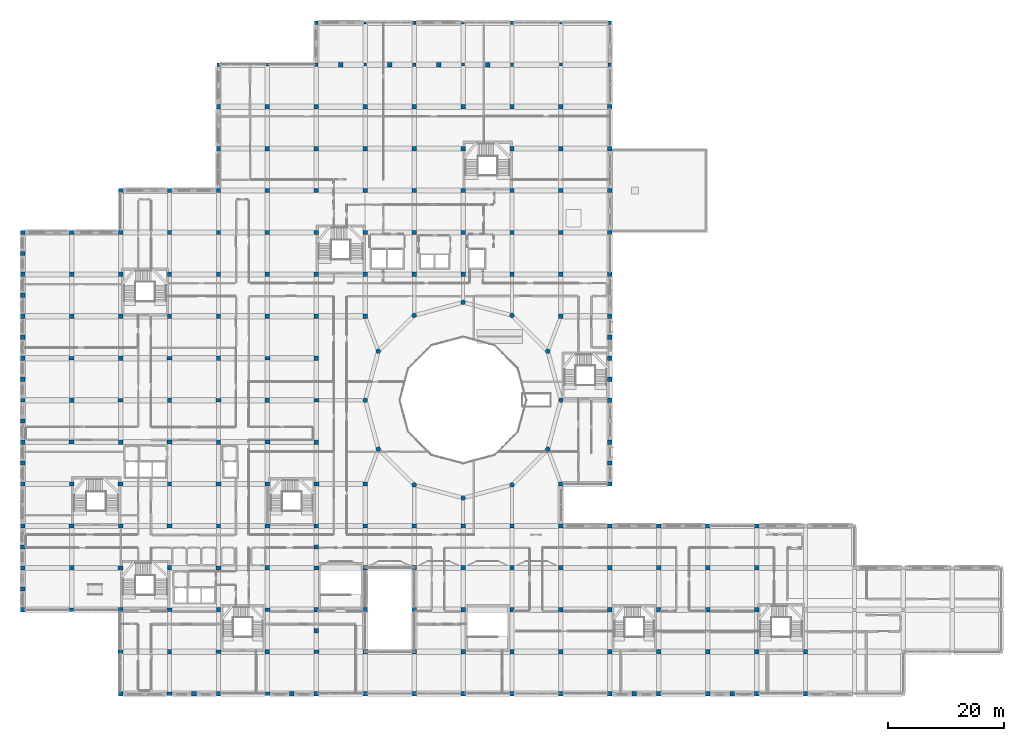
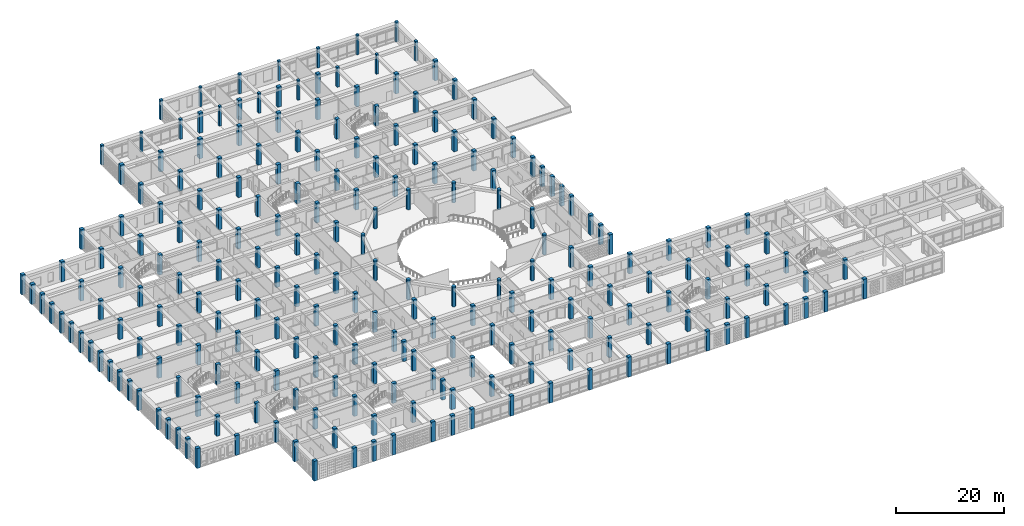
# One storey, part 1 of 121: 226 columns.
"""IFC4 building model written with IfcOpenShell, lengths in metres."""

import ifcopenshell
import ifcopenshell.guid

model = None  # the IFC model being written
_history = None  # IfcOwnerHistory: only IFC2X3 demands one
_inside = {}  # id of a spatial element -> (the spatial element, [elements in it])
_under = {}  # id of a project, library or spatial element -> (it, [spatial elements below it])
_declared = {}  # id of a project -> (the project, [libraries it declares])
_typed = {}  # id of a type object -> (the type object, [elements of that type])
_made_of = {}  # id of a material, layer set ... -> (it, [elements and type objects made of it])


def new_model(schema):
    """Start an empty IFC model of exactly this schema.

    Asked for "IFC4X3", IfcOpenShell would pick the latest addendum, in which some entities
    have other attributes; the version numbers below select the first issue.
    IFC2X3 requires an IfcOwnerHistory on every rooted entity: one is made here for all.
    """
    global model, _history
    if schema == "IFC4X3":
        model = ifcopenshell.file(schema_version=(4, 3, 0, 0))
    else:
        model = ifcopenshell.file(schema=schema)
    _inside.clear()
    _under.clear()
    _declared.clear()
    _typed.clear()
    _made_of.clear()
    _history = None
    if model.schema == "IFC2X3":
        org = make("IfcOrganization", Name="unknown")
        user = make(
            "IfcPersonAndOrganization",
            ThePerson=make("IfcPerson", FamilyName="unknown"),
            TheOrganization=org,
        )
        app = make(
            "IfcApplication",
            ApplicationDeveloper=org,
            Version="unknown",
            ApplicationFullName="unknown",
            ApplicationIdentifier="unknown",
        )
        _history = make(
            "IfcOwnerHistory",
            OwningUser=user,
            OwningApplication=app,
            ChangeAction="ADDED",
            CreationDate=0,
        )
    return model


def make(cls, **values):
    """One entity of the class cls with the attributes given. An attribute that is None is left unset."""
    return model.create_entity(
        cls, **{name: value for name, value in values.items() if value is not None}
    )


def rooted(cls, **values):
    """An entity with a GlobalId (a new one), such as an element, a storey or a relation."""
    return make(cls, GlobalId=ifcopenshell.guid.new(), OwnerHistory=_history, **values)


def si_unit(unit_type, name, prefix=None):
    """IfcSIUnit, for example si_unit("LENGTHUNIT", "METRE", prefix="MILLI")."""
    return make("IfcSIUnit", UnitType=unit_type, Prefix=prefix, Name=name)


def derived_unit(unit_type, elements):
    """IfcDerivedUnit: a product of units, each with its exponent."""
    return make(
        "IfcDerivedUnit",
        Elements=[
            make("IfcDerivedUnitElement", Unit=unit, Exponent=power)
            for unit, power in elements
        ],
        UnitType=unit_type,
    )


def assignment(units):
    """IfcUnitAssignment: the units of a project."""
    return None if units is None else make("IfcUnitAssignment", Units=units)


def point(xyz):
    """IfcCartesianPoint."""
    return None if xyz is None else make("IfcCartesianPoint", Coordinates=xyz)


def direction(xyz):
    """IfcDirection."""
    return None if xyz is None else make("IfcDirection", DirectionRatios=xyz)


def frame(location, z_axis=None, x_axis=None):
    """IfcAxis2Placement3D, a coordinate frame: its origin and axes. An axis left out is left unset."""
    return make(
        "IfcAxis2Placement3D",
        Location=point(location),
        Axis=direction(z_axis),
        RefDirection=direction(x_axis),
    )


def frame_2d(location, x_axis=None):
    """IfcAxis2Placement2D, a coordinate frame in the plane: its origin and x axis."""
    return make(
        "IfcAxis2Placement2D", Location=point(location), RefDirection=direction(x_axis)
    )


def origin():
    """The frame at (0, 0, 0) with its axes left unset."""
    return frame((0.0, 0.0, 0.0))


def origin_2d():
    """The frame at (0, 0) in the plane with its x axis left unset."""
    return frame_2d((0.0, 0.0))


def place(relative_to, where):
    """IfcLocalPlacement: puts the frame where relative to a parent placement (None: the world)."""
    return make(
        "IfcLocalPlacement", PlacementRelTo=relative_to, RelativePlacement=where
    )


def context(
    kind, dimensions, precision=None, world=None, true_north=None, identifier=None
):
    """IfcGeometricRepresentationContext, for example the 3D "Model" context."""
    return make(
        "IfcGeometricRepresentationContext",
        ContextIdentifier=identifier,
        ContextType=kind,
        CoordinateSpaceDimension=dimensions,
        Precision=precision,
        WorldCoordinateSystem=world,
        TrueNorth=true_north,
    )


def subcontext(parent, identifier, kind, view, scale=None):
    """IfcGeometricRepresentationSubContext, for example "Body" below "Model"."""
    return make(
        "IfcGeometricRepresentationSubContext",
        ContextIdentifier=identifier,
        ContextType=kind,
        ParentContext=parent,
        TargetScale=scale,
        TargetView=view,
    )


def project(units=None, contexts=None):
    """IfcProject with its units and contexts."""
    return rooted(
        "IfcProject",
        Name="project",
        RepresentationContexts=contexts,
        UnitsInContext=assignment(units),
    )


def spatial(cls, under=None, at=None, **own):
    """A site, building, storey or space (cls), placed at a placement, below another one or the project."""
    s = rooted(cls, ObjectPlacement=at, **own)
    if under is not None:
        _under.setdefault(under.id(), (under, []))[1].append(s)
    return s


def profile(cls, at=None, kind="AREA", **sizes):
    """A parametric profile (cls). Its sizes go by their IFC names, for example OverallWidth=200.0."""
    return make(cls, ProfileType=kind, Position=at, **sizes)


def rectangle(**sizes):
    """IfcRectangleProfileDef."""
    return profile("IfcRectangleProfileDef", **sizes)


def circle(**sizes):
    """IfcCircleProfileDef."""
    return profile("IfcCircleProfileDef", **sizes)


def extrude(swept, where, along, depth):
    """IfcExtrudedAreaSolid: the profile swept, set in the frame where, extruded along a direction by depth."""
    return make(
        "IfcExtrudedAreaSolid",
        SweptArea=swept,
        Position=where,
        ExtrudedDirection=direction(along),
        Depth=depth,
    )


def shape(context_of_items, identifier, shape_type, items):
    """IfcShapeRepresentation: the items that make up one representation, for example the "Body"."""
    return make(
        "IfcShapeRepresentation",
        ContextOfItems=context_of_items,
        RepresentationIdentifier=identifier,
        RepresentationType=shape_type,
        Items=items,
    )


def material(Name=None, Category=None):
    """IfcMaterial."""
    return make("IfcMaterial", Name=Name, Category=Category)


def material_profile(
    of_material, cross_section, Name=None, Category=None, Priority=None
):
    """IfcMaterialProfile: a cross section and its material."""
    return make(
        "IfcMaterialProfile",
        Name=Name,
        Material=of_material,
        Profile=cross_section,
        Priority=Priority,
        Category=Category,
    )


def profile_set(profiles, Name=None, composite=None):
    """IfcMaterialProfileSet."""
    return make(
        "IfcMaterialProfileSet",
        Name=Name,
        MaterialProfiles=profiles,
        CompositeProfile=composite,
    )


def made_of(thing, what):
    """Note that an element or type object is made of a material, layer set ...; save() writes the relation."""
    if what is not None:
        _made_of.setdefault(what.id(), (what, []))[1].append(thing)
    return thing


def type_object(cls, material=None, **own):
    """A type object (cls), such as IfcWallType, which elements share."""
    return made_of(rooted(cls, **own), material)


def element(
    cls,
    number,
    at=None,
    inside=None,
    cuts=None,
    type_object=None,
    material=None,
    context=None,
    identifier="Body",
    shape_type=None,
    held_by="IfcProductDefinitionShape",
    body=None,
    shapes=None,
    **own,
):
    """One element of the class cls, such as IfcWall. Its Tag is "e" and its number.

    at: its placement. inside: the storey or other place that contains it. cuts: it is an
    opening in that element (IfcRelVoidsElement). A single representation is given by context,
    identifier, shape_type and body (its items); several are given by shapes. held_by: the class
    of the entity that holds the representations. save() writes the other relations.
    """
    e = rooted(cls, Tag="e%d" % number, ObjectPlacement=at, **own)
    if body is not None:
        shapes = [shape(context, identifier, shape_type, body)]
    if shapes is not None:
        e.Representation = make(held_by, Representations=shapes)
    if inside is not None:
        _inside.setdefault(inside.id(), (inside, []))[1].append(e)
    if cuts is not None:
        rooted(
            "IfcRelVoidsElement", RelatingBuildingElement=cuts, RelatedOpeningElement=e
        )
    if type_object is not None:
        _typed.setdefault(type_object.id(), (type_object, []))[1].append(e)
    return made_of(e, material)


def aggregate(whole, parts):
    """IfcRelAggregates: a whole, such as a stair, and the parts it consists of."""
    return rooted("IfcRelAggregates", RelatingObject=whole, RelatedObjects=parts)


def save(model, path):
    """Write the relations noted so far, then the file.

    IfcRelAggregates (storeys below a building ...), IfcRelContainedInSpatialStructure (elements
    in a storey), IfcRelDefinesByType, IfcRelAssociatesMaterial and IfcRelDeclares: one each for
    every whole, place, type object, material and project.
    """
    for whole, parts in _under.values():
        aggregate(whole, parts)
    for where, things in _inside.values():
        rooted(
            "IfcRelContainedInSpatialStructure",
            RelatedElements=things,
            RelatingStructure=where,
        )
    for kind, things in _typed.values():
        rooted("IfcRelDefinesByType", RelatedObjects=things, RelatingType=kind)
    for what, things in _made_of.values():
        rooted("IfcRelAssociatesMaterial", RelatedObjects=things, RelatingMaterial=what)
    for by, libraries in _declared.values():
        rooted("IfcRelDeclares", RelatingContext=by, RelatedDefinitions=libraries)
    model.write(path)


model = new_model("IFC4")

# Units and contexts
model_context = context("Model", 3, precision=1e-05, world=origin(), true_north=direction((0.0, 1.0)))
body_context = subcontext(model_context, "Body", "Model", "MODEL_VIEW")
ifc_project = project(units=[si_unit("LENGTHUNIT", "METRE"), si_unit("AREAUNIT", "SQUARE_METRE"), si_unit("VOLUMEUNIT", "CUBIC_METRE"), si_unit("PLANEANGLEUNIT", "RADIAN"), si_unit("MASSUNIT", "GRAM", prefix="KILO"), derived_unit("THERMALTRANSMITTANCEUNIT", [(si_unit("POWERUNIT", "WATT"), 1), (si_unit("LENGTHUNIT", "METRE"), -2), (si_unit("THERMODYNAMICTEMPERATUREUNIT", "KELVIN"), -1)])], contexts=[model_context])

# Site, building, storey
site_placement = place(None, origin())
site = spatial("IfcSite", under=ifc_project, at=site_placement, CompositionType="ELEMENT")
building_placement = place(site_placement, origin())
building = spatial("IfcBuilding", under=site, at=building_placement, Name="Veybourne Emporium", CompositionType="ELEMENT")
storey_placement = place(building_placement, frame((0.0, 0.0, 5.39990234375)))
storey = spatial("IfcBuildingStorey", under=building, at=storey_placement, Name="L01", CompositionType="ELEMENT", Elevation=5.39990234375)

# Columns
ifc_material = material(Name="Concrete C40/50", Category="concrete")
ifc_material_profile_1 = material_profile(ifc_material, rectangle(XDim=0.75, YDim=0.75, at=origin_2d()), Name="RC 750x750")
ifc_profile_set_1 = profile_set([ifc_material_profile_1], Name="Concrete C40/50")
column_type_1 = type_object("IfcColumnType", Name="Col_C-03", PredefinedType="COLUMN", material=ifc_profile_set_1)
for number, where, z_axis, x_axis, name in (
    (1, (8.39990234375, 21.60009765625, 0.0), (0.0, 0.0, 1.0), (1.0, 0.0, 0.0), "Column C-03 L01 (1,3)"),
    (2, (8.39990234375, 36.0, 0.0), (0.0, 0.0, 1.0), (1.0, 0.0, 0.0), "Column C-03 L01 (1,5)"),
    (3, (8.39990234375, 50.39990234375, 0.0), (0.0, 0.0, 1.0), (1.0, 0.0, 0.0), "Column C-03 L01 (1,7)"),
    (4, (8.39990234375, 64.800048828125, 0.0), (0.0, 0.0, 1.0), (1.0, 0.0, 0.0), "Column C-03 L01 (1,9)"),
    (5, (8.39990234375, 72.0, 0.0), (0.0, 0.0, 1.0), (1.0, 0.0, 0.0), "Column C-03 L01 (1,10)"),
    (6, (8.39990234375, 79.199951171875, 0.0), (0.0, 0.0, 1.0), (1.0, 0.0, 0.0), "Column C-03 L01 (1,11)"),
    (7, (16.800048828125, 14.39990234375, 0.0), (0.0, 0.0, 1.0), (1.0, 0.0, 0.0), "Column C-03 L01 (2,2)"),
    (8, (16.800048828125, 28.800048828125, 0.0), (0.0, 0.0, 1.0), (1.0, 0.0, 0.0), "Column C-03 L01 (2,4)"),
    (9, (16.800048828125, 43.199951171875, 0.0), (0.0, 0.0, 1.0), (1.0, 0.0, 0.0), "Column C-03 L01 (2,6)"),
    (10, (16.800048828125, 57.60009765625, 0.0), (0.0, 0.0, 1.0), (1.0, 0.0, 0.0), "Column C-03 L01 (2,8)"),
    (11, (16.800048828125, 64.800048828125, 0.0), (0.0, 0.0, 1.0), (1.0, 0.0, 0.0), "Column C-03 L01 (2,9)"),
    (12, (16.800048828125, 72.0, 0.0), (0.0, 0.0, 1.0), (1.0, 0.0, 0.0), "Column C-03 L01 (2,10)"),
    (13, (16.800048828125, 79.199951171875, 0.0), (0.0, 0.0, 1.0), (1.0, 0.0, 0.0), "Column C-03 L01 (2,11)"),
    (14, (16.800048828125, 86.39990234375, 0.0), (0.0, 0.0, 1.0), (1.0, 0.0, 0.0), "Column C-03 L01 (2,12)"),
    (15, (25.199951171875, 7.199951171875, 0.0), (0.0, 0.0, 1.0), (1.0, 0.0, 0.0), "Column C-03 L01 (3,1)"),
    (16, (25.199951171875, 21.60009765625, 0.0), (0.0, 0.0, 1.0), (1.0, 0.0, 0.0), "Column C-03 L01 (3,3)"),
    (17, (25.199951171875, 36.0, 0.0), (0.0, 0.0, 1.0), (1.0, 0.0, 0.0), "Column C-03 L01 (3,5)"),
    (18, (25.199951171875, 50.39990234375, 0.0), (0.0, 0.0, 1.0), (1.0, 0.0, 0.0), "Column C-03 L01 (3,7)"),
    (19, (25.199951171875, 64.800048828125, 0.0), (0.0, 0.0, 1.0), (1.0, 0.0, 0.0), "Column C-03 L01 (3,9)"),
    (20, (25.199951171875, 72.0, 0.0), (0.0, 0.0, 1.0), (1.0, 0.0, 0.0), "Column C-03 L01 (3,10)"),
    (21, (25.199951171875, 79.199951171875, 0.0), (0.0, 0.0, 1.0), (1.0, 0.0, 0.0), "Column C-03 L01 (3,11)"),
    (22, (25.199951171875, 86.39990234375, 0.0), (0.0, 0.0, 1.0), (1.0, 0.0, 0.0), "Column C-03 L01 (3,12)"),
    (23, (33.60009765625, 14.39990234375, 0.0), (0.0, 0.0, 1.0), (1.0, 0.0, 0.0), "Column C-03 L01 (4,2)"),
    (24, (33.60009765625, 28.800048828125, 0.0), (0.0, 0.0, 1.0), (1.0, 0.0, 0.0), "Column C-03 L01 (4,4)"),
    (25, (33.60009765625, 43.199951171875, 0.0), (0.0, 0.0, 1.0), (1.0, 0.0, 0.0), "Column C-03 L01 (4,6)"),
    (26, (33.60009765625, 57.60009765625, 0.0), (0.0, 0.0, 1.0), (1.0, 0.0, 0.0), "Column C-03 L01 (4,8)"),
    (27, (33.60009765625, 64.800048828125, 0.0), (0.0, 0.0, 1.0), (1.0, 0.0, 0.0), "Column C-03 L01 (4,9)"),
    (28, (33.60009765625, 72.0, 0.0), (0.0, 0.0, 1.0), (1.0, 0.0, 0.0), "Column C-03 L01 (4,10)"),
    (29, (33.60009765625, 79.199951171875, 0.0), (0.0, 0.0, 1.0), (1.0, 0.0, 0.0), "Column C-03 L01 (4,11)"),
    (30, (33.60009765625, 86.39990234375, 0.0), (0.0, 0.0, 1.0), (1.0, 0.0, 0.0), "Column C-03 L01 (4,12)"),
    (31, (33.60009765625, 93.60009765625, 0.0), (0.0, 0.0, 1.0), (1.0, 0.0, 0.0), "Column C-03 L01 (4,13)"),
    (32, (33.60009765625, 100.800048828125, 0.0), (0.0, 0.0, 1.0), (1.0, 0.0, 0.0), "Column C-03 L01 (4,14)"),
    (33, (42.0, 7.199951171875, 0.0), (0.0, 0.0, 1.0), (1.0, 0.0, 0.0), "Column C-03 L01 (5,1)"),
    (34, (42.0, 21.60009765625, 0.0), (0.0, 0.0, 1.0), (1.0, 0.0, 0.0), "Column C-03 L01 (5,3)"),
    (35, (42.0, 36.0, 0.0), (0.0, 0.0, 1.0), (1.0, 0.0, 0.0), "Column C-03 L01 (5,5)"),
    (36, (42.0, 50.39990234375, 0.0), (0.0, 0.0, 1.0), (1.0, 0.0, 0.0), "Column C-03 L01 (5,7)"),
    (37, (42.0, 64.800048828125, 0.0), (0.0, 0.0, 1.0), (1.0, 0.0, 0.0), "Column C-03 L01 (5,9)"),
    (38, (42.0, 72.0, 0.0), (0.0, 0.0, 1.0), (1.0, 0.0, 0.0), "Column C-03 L01 (5,10)"),
    (39, (42.0, 79.199951171875, 0.0), (0.0, 0.0, 1.0), (1.0, 0.0, 0.0), "Column C-03 L01 (5,11)"),
    (40, (42.0, 86.39990234375, 0.0), (0.0, 0.0, 1.0), (1.0, 0.0, 0.0), "Column C-03 L01 (5,12)"),
    (41, (42.0, 93.60009765625, 0.0), (0.0, 0.0, 1.0), (1.0, 0.0, 0.0), "Column C-03 L01 (5,13)"),
    (42, (42.0, 100.800048828125, 0.0), (0.0, 0.0, 1.0), (1.0, 0.0, 0.0), "Column C-03 L01 (5,14)"),
    (43, (50.39990234375, 14.39990234375, 0.0), (0.0, 0.0, 1.0), (1.0, 0.0, 0.0), "Column C-03 L01 (6,2)"),
    (44, (50.39990234375, 28.800048828125, 0.0), (0.0, 0.0, 1.0), (1.0, 0.0, 0.0), "Column C-03 L01 (6,4)"),
    (45, (50.39990234375, 43.199951171875, 0.0), (0.0, 0.0, 1.0), (1.0, 0.0, 0.0), "Column C-03 L01 (6,6)"),
    (46, (50.39990234375, 57.60009765625, 0.0), (0.0, 0.0, 1.0), (1.0, 0.0, 0.0), "Column C-03 L01 (6,8)"),
    (47, (50.39990234375, 64.800048828125, 0.0), (0.0, 0.0, 1.0), (1.0, 0.0, 0.0), "Column C-03 L01 (6,9)"),
    (48, (50.39990234375, 72.0, 0.0), (0.0, 0.0, 1.0), (1.0, 0.0, 0.0), "Column C-03 L01 (6,10)"),
    (49, (50.39990234375, 79.199951171875, 0.0), (0.0, 0.0, 1.0), (1.0, 0.0, 0.0), "Column C-03 L01 (6,11)"),
    (50, (50.39990234375, 86.39990234375, 0.0), (0.0, 0.0, 1.0), (1.0, 0.0, 0.0), "Column C-03 L01 (6,12)"),
    (51, (50.39990234375, 93.60009765625, 0.0), (0.0, 0.0, 1.0), (1.0, 0.0, 0.0), "Column C-03 L01 (6,13)"),
    (52, (50.39990234375, 100.800048828125, 0.0), (0.0, 0.0, 1.0), (1.0, 0.0, 0.0), "Column C-03 L01 (6,14)"),
    (53, (58.800048828125, 7.199951171875, 0.0), (0.0, 0.0, 1.0), (1.0, 0.0, 0.0), "Column C-03 L01 (7,1)"),
    (54, (58.800048828125, 14.39990234375, 0.0), (0.0, 0.0, 1.0), (1.0, 0.0, 0.0), "Column C-03 L01 (7,2)"),
    (55, (58.800048828125, 21.60009765625, 0.0), (0.0, 0.0, 1.0), (1.0, 0.0, 0.0), "Column C-03 L01 (7,3)"),
    (56, (58.800048828125, 28.800048828125, 0.0), (0.0, 0.0, 1.0), (1.0, 0.0, 0.0), "Column C-03 L01 (7,4)"),
    (57, (58.800048828125, 36.0, 0.0), (0.0, 0.0, 1.0), (1.0, 0.0, 0.0), "Column C-03 L01 (7,5)"),
    (58, (58.800048828125, 64.800048828125, 0.0), (0.0, 0.0, 1.0), (1.0, 0.0, 0.0), "Column C-03 L01 (7,9)"),
    (59, (58.800048828125, 72.0, 0.0), (0.0, 0.0, 1.0), (1.0, 0.0, 0.0), "Column C-03 L01 (7,10)"),
    (60, (58.800048828125, 79.199951171875, 0.0), (0.0, 0.0, 1.0), (1.0, 0.0, 0.0), "Column C-03 L01 (7,11)"),
    (61, (58.800048828125, 86.39990234375, 0.0), (0.0, 0.0, 1.0), (1.0, 0.0, 0.0), "Column C-03 L01 (7,12)"),
    (62, (58.800048828125, 93.60009765625, 0.0), (0.0, 0.0, 1.0), (1.0, 0.0, 0.0), "Column C-03 L01 (7,13)"),
    (63, (58.800048828125, 100.800048828125, 0.0), (0.0, 0.0, 1.0), (1.0, 0.0, 0.0), "Column C-03 L01 (7,14)"),
    (64, (67.199951171875, 7.199951171875, 0.0), (0.0, 0.0, 1.0), (1.0, 0.0, 0.0), "Column C-03 L01 (8,1)"),
    (65, (67.199951171875, 14.39990234375, 0.0), (0.0, 0.0, 1.0), (1.0, 0.0, 0.0), "Column C-03 L01 (8,2)"),
    (66, (67.199951171875, 21.60009765625, 0.0), (0.0, 0.0, 1.0), (1.0, 0.0, 0.0), "Column C-03 L01 (8,3)"),
    (67, (67.199951171875, 28.800048828125, 0.0), (0.0, 0.0, 1.0), (1.0, 0.0, 0.0), "Column C-03 L01 (8,4)"),
    (68, (67.199951171875, 72.0, 0.0), (0.0, 0.0, 1.0), (1.0, 0.0, 0.0), "Column C-03 L01 (8,10)"),
    (69, (67.199951171875, 79.199951171875, 0.0), (0.0, 0.0, 1.0), (1.0, 0.0, 0.0), "Column C-03 L01 (8,11)"),
    (70, (67.199951171875, 86.39990234375, 0.0), (0.0, 0.0, 1.0), (1.0, 0.0, 0.0), "Column C-03 L01 (8,12)"),
    (71, (67.199951171875, 93.60009765625, 0.0), (0.0, 0.0, 1.0), (1.0, 0.0, 0.0), "Column C-03 L01 (8,13)"),
    (72, (67.199951171875, 100.800048828125, 0.0), (0.0, 0.0, 1.0), (1.0, 0.0, 0.0), "Column C-03 L01 (8,14)"),
    (73, (75.60009765625, 7.199951171875, 0.0), (0.0, 0.0, 1.0), (1.0, 0.0, 0.0), "Column C-03 L01 (9,1)"),
    (74, (75.60009765625, 14.39990234375, 0.0), (0.0, 0.0, 1.0), (1.0, 0.0, 0.0), "Column C-03 L01 (9,2)"),
    (75, (75.60009765625, 21.60009765625, 0.0), (0.0, 0.0, 1.0), (1.0, 0.0, 0.0), "Column C-03 L01 (9,3)"),
    (76, (75.60009765625, 28.800048828125, 0.0), (0.0, 0.0, 1.0), (1.0, 0.0, 0.0), "Column C-03 L01 (9,4)"),
    (77, (75.60009765625, 72.0, 0.0), (0.0, 0.0, 1.0), (1.0, 0.0, 0.0), "Column C-03 L01 (9,10)"),
    (78, (75.60009765625, 79.199951171875, 0.0), (0.0, 0.0, 1.0), (1.0, 0.0, 0.0), "Column C-03 L01 (9,11)"),
    (79, (75.60009765625, 86.39990234375, 0.0), (0.0, 0.0, 1.0), (1.0, 0.0, 0.0), "Column C-03 L01 (9,12)"),
    (80, (75.60009765625, 93.60009765625, 0.0), (0.0, 0.0, 1.0), (1.0, 0.0, 0.0), "Column C-03 L01 (9,13)"),
    (81, (75.60009765625, 100.800048828125, 0.0), (0.0, 0.0, 1.0), (1.0, 0.0, 0.0), "Column C-03 L01 (9,14)"),
    (82, (84.0, 7.199951171875, 0.0), (0.0, 0.0, 1.0), (1.0, 0.0, 0.0), "Column C-03 L01 (10,1)"),
    (83, (84.0, 14.39990234375, 0.0), (0.0, 0.0, 1.0), (1.0, 0.0, 0.0), "Column C-03 L01 (10,2)"),
    (84, (84.0, 21.60009765625, 0.0), (0.0, 0.0, 1.0), (1.0, 0.0, 0.0), "Column C-03 L01 (10,3)"),
    (85, (84.0, 28.800048828125, 0.0), (0.0, 0.0, 1.0), (1.0, 0.0, 0.0), "Column C-03 L01 (10,4)"),
    (86, (84.0, 72.0, 0.0), (0.0, 0.0, 1.0), (1.0, 0.0, 0.0), "Column C-03 L01 (10,10)"),
    (87, (84.0, 79.199951171875, 0.0), (0.0, 0.0, 1.0), (1.0, 0.0, 0.0), "Column C-03 L01 (10,11)"),
    (88, (84.0, 86.39990234375, 0.0), (0.0, 0.0, 1.0), (1.0, 0.0, 0.0), "Column C-03 L01 (10,12)"),
    (89, (84.0, 93.60009765625, 0.0), (0.0, 0.0, 1.0), (1.0, 0.0, 0.0), "Column C-03 L01 (10,13)"),
    (90, (84.0, 100.800048828125, 0.0), (0.0, 0.0, 1.0), (1.0, 0.0, 0.0), "Column C-03 L01 (10,14)"),
    (91, (92.39990234375, 7.199951171875, 0.0), (0.0, 0.0, 1.0), (1.0, 0.0, 0.0), "Column C-03 L01 (11,1)"),
    (92, (92.39990234375, 14.39990234375, 0.0), (0.0, 0.0, 1.0), (1.0, 0.0, 0.0), "Column C-03 L01 (11,2)"),
    (93, (92.39990234375, 21.60009765625, 0.0), (0.0, 0.0, 1.0), (1.0, 0.0, 0.0), "Column C-03 L01 (11,3)"),
    (94, (92.39990234375, 28.800048828125, 0.0), (0.0, 0.0, 1.0), (1.0, 0.0, 0.0), "Column C-03 L01 (11,4)"),
    (95, (92.39990234375, 36.0, 0.0), (0.0, 0.0, 1.0), (1.0, 0.0, 0.0), "Column C-03 L01 (11,5)"),
    (96, (92.39990234375, 64.800048828125, 0.0), (0.0, 0.0, 1.0), (1.0, 0.0, 0.0), "Column C-03 L01 (11,9)"),
    (97, (92.39990234375, 72.0, 0.0), (0.0, 0.0, 1.0), (1.0, 0.0, 0.0), "Column C-03 L01 (11,10)"),
    (98, (92.39990234375, 79.199951171875, 0.0), (0.0, 0.0, 1.0), (1.0, 0.0, 0.0), "Column C-03 L01 (11,11)"),
    (99, (92.39990234375, 86.39990234375, 0.0), (0.0, 0.0, 1.0), (1.0, 0.0, 0.0), "Column C-03 L01 (11,12)"),
    (100, (92.39990234375, 93.60009765625, 0.0), (0.0, 0.0, 1.0), (1.0, 0.0, 0.0), "Column C-03 L01 (11,13)"),
    (101, (92.39990234375, 100.800048828125, 0.0), (0.0, 0.0, 1.0), (1.0, 0.0, 0.0), "Column C-03 L01 (11,14)"),
    (102, (100.800048828125, 7.199951171875, 0.0), (0.0, 0.0, 1.0), (1.0, 0.0, 0.0), "Column C-03 L01 (12,1)"),
    (103, (100.800048828125, 14.39990234375, 0.0), (0.0, 0.0, 1.0), (1.0, 0.0, 0.0), "Column C-03 L01 (12,2)"),
    (104, (100.800048828125, 21.60009765625, 0.0), (0.0, 0.0, 1.0), (1.0, 0.0, 0.0), "Column C-03 L01 (12,3)"),
    (105, (100.800048828125, 28.800048828125, 0.0), (0.0, 0.0, 1.0), (1.0, 0.0, 0.0), "Column C-03 L01 (12,4)"),
    (106, (100.800048828125, 36.0, 0.0), (0.0, 0.0, 1.0), (1.0, 0.0, 0.0), "Column C-03 L01 (12,5)"),
    (107, (100.800048828125, 43.199951171875, 0.0), (0.0, 0.0, 1.0), (1.0, 0.0, 0.0), "Column C-03 L01 (12,6)"),
    (108, (100.800048828125, 50.39990234375, 0.0), (0.0, 0.0, 1.0), (1.0, 0.0, 0.0), "Column C-03 L01 (12,7)"),
    (109, (100.800048828125, 57.60009765625, 0.0), (0.0, 0.0, 1.0), (1.0, 0.0, 0.0), "Column C-03 L01 (12,8)"),
    (110, (100.800048828125, 64.800048828125, 0.0), (0.0, 0.0, 1.0), (1.0, 0.0, 0.0), "Column C-03 L01 (12,9)"),
    (111, (100.800048828125, 72.0, 0.0), (0.0, 0.0, 1.0), (1.0, 0.0, 0.0), "Column C-03 L01 (12,10)"),
    (112, (100.800048828125, 79.199951171875, 0.0), (0.0, 0.0, 1.0), (1.0, 0.0, 0.0), "Column C-03 L01 (12,11)"),
    (113, (100.800048828125, 86.39990234375, 0.0), (0.0, 0.0, 1.0), (1.0, 0.0, 0.0), "Column C-03 L01 (12,12)"),
    (114, (100.800048828125, 93.60009765625, 0.0), (0.0, 0.0, 1.0), (1.0, 0.0, 0.0), "Column C-03 L01 (12,13)"),
    (115, (100.800048828125, 100.800048828125, 0.0), (0.0, 0.0, 1.0), (1.0, 0.0, 0.0), "Column C-03 L01 (12,14)"),
    (116, (109.199951171875, 7.199951171875, 0.0), (0.0, 0.0, 1.0), (1.0, 0.0, 0.0), "Column C-03 L01 (13,1)"),
    (117, (109.199951171875, 14.39990234375, 0.0), (0.0, 0.0, 1.0), (1.0, 0.0, 0.0), "Column C-03 L01 (13,2)"),
    (118, (109.199951171875, 21.60009765625, 0.0), (0.0, 0.0, 1.0), (1.0, 0.0, 0.0), "Column C-03 L01 (13,3)"),
    (119, (109.199951171875, 28.800048828125, 0.0), (0.0, 0.0, 1.0), (1.0, 0.0, 0.0), "Column C-03 L01 (13,4)"),
    (120, (117.60009765625, 7.199951171875, 0.0), (0.0, 0.0, 1.0), (1.0, 0.0, 0.0), "Column C-03 L01 (14,1)"),
    (121, (117.60009765625, 14.39990234375, 0.0), (0.0, 0.0, 1.0), (1.0, 0.0, 0.0), "Column C-03 L01 (14,2)"),
    (122, (117.60009765625, 21.60009765625, 0.0), (0.0, 0.0, 1.0), (1.0, 0.0, 0.0), "Column C-03 L01 (14,3)"),
    (123, (117.60009765625, 28.800048828125, 0.0), (0.0, 0.0, 1.0), (1.0, 0.0, 0.0), "Column C-03 L01 (14,4)"),
    (124, (126.0, 7.199951171875, 0.0), (0.0, 0.0, 1.0), (1.0, 0.0, 0.0), "Column C-03 L01 (15,1)"),
    (125, (126.0, 14.39990234375, 0.0), (0.0, 0.0, 1.0), (1.0, 0.0, 0.0), "Column C-03 L01 (15,2)"),
    (126, (126.0, 21.60009765625, 0.0), (0.0, 0.0, 1.0), (1.0, 0.0, 0.0), "Column C-03 L01 (15,3)"),
    (127, (126.0, 28.800048828125, 0.0), (0.0, 0.0, 1.0), (1.0, 0.0, 0.0), "Column C-03 L01 (15,4)"),
    (128, (134.39990234375, 7.199951171875, 0.0), (0.0, 0.0, 1.0), (1.0, 0.0, 0.0), "Column C-03 L01 (16,1)"),
):
    element("IfcColumn", number, at=place(storey_placement, frame(where, z_axis=z_axis, x_axis=x_axis)), inside=storey, type_object=column_type_1, Name=name, PredefinedType="COLUMN", context=body_context, shape_type="SweptSolid", body=[
        extrude(rectangle(XDim=0.75, YDim=0.75, at=origin_2d()), origin(), (0.0, 0.0, 1.0), 4.5),
    ])
ifc_material_profile_2 = material_profile(ifc_material, rectangle(XDim=0.550048828125, YDim=0.550048828125, at=origin_2d()), Name="RC 550x550")
ifc_profile_set_2 = profile_set([ifc_material_profile_2], Name="Concrete C40/50")
column_type_2 = type_object("IfcColumnType", Name="Col_C-07", PredefinedType="COLUMN", material=ifc_profile_set_2)
for number, where, z_axis, x_axis, name in (
    (129, (33.60009765625, 108.0, 0.0), (0.0, 0.0, 1.0), (1.0, 0.0, 0.0), "Column C-07 L01 (4,15)"),
    (130, (50.39990234375, 108.0, 0.0), (0.0, 0.0, 1.0), (1.0, 0.0, 0.0), "Column C-07 L01 (6,15)"),
    (131, (67.199951171875, 108.0, 0.0), (0.0, 0.0, 1.0), (1.0, 0.0, 0.0), "Column C-07 L01 (8,15)"),
    (132, (84.0, 108.0, 0.0), (0.0, 0.0, 1.0), (1.0, 0.0, 0.0), "Column C-07 L01 (10,15)"),
    (133, (100.800048828125, 108.0, 0.0), (0.0, 0.0, 1.0), (1.0, 0.0, 0.0), "Column C-07 L01 (12,15)"),
):
    element("IfcColumn", number, at=place(storey_placement, frame(where, z_axis=z_axis, x_axis=x_axis)), inside=storey, type_object=column_type_2, Name=name, PredefinedType="COLUMN", context=body_context, shape_type="SweptSolid", body=[
        extrude(rectangle(XDim=0.550048828125, YDim=0.550048828125, at=origin_2d()), origin(), (0.0, 0.0, 1.0), 4.5),
    ])
ifc_material_profile_3 = material_profile(ifc_material, rectangle(XDim=0.5, YDim=0.5, at=origin_2d()), Name="RC 500x500")
ifc_profile_set_3 = profile_set([ifc_material_profile_3], Name="Concrete C40/50")
column_type_3 = type_object("IfcColumnType", Name="Col_C-08", PredefinedType="COLUMN", material=ifc_profile_set_3)
for number, where, z_axis, x_axis, name in (
    (134, (42.0, 108.0, 0.0), (0.0, 0.0, 1.0), (1.0, 0.0, 0.0), "Column C-08 L01 (5,15)"),
    (135, (58.800048828125, 108.0, 0.0), (0.0, 0.0, 1.0), (1.0, 0.0, 0.0), "Column C-08 L01 (7,15)"),
    (136, (75.60009765625, 108.0, 0.0), (0.0, 0.0, 1.0), (1.0, 0.0, 0.0), "Column C-08 L01 (9,15)"),
    (137, (92.39990234375, 108.0, 0.0), (0.0, 0.0, 1.0), (1.0, 0.0, 0.0), "Column C-08 L01 (11,15)"),
):
    element("IfcColumn", number, at=place(storey_placement, frame(where, z_axis=z_axis, x_axis=x_axis)), inside=storey, type_object=column_type_3, Name=name, PredefinedType="COLUMN", context=body_context, shape_type="SweptSolid", body=[
        extrude(rectangle(XDim=0.5, YDim=0.5, at=origin_2d()), origin(), (0.0, 0.0, 1.0), 4.5),
    ])
ifc_material_profile_4 = material_profile(ifc_material, rectangle(XDim=0.85009765625, YDim=0.64990234375, at=origin_2d()), Name="RC 850x650")
ifc_profile_set_4 = profile_set([ifc_material_profile_4], Name="Concrete C40/50")
column_type_4 = type_object("IfcColumnType", Name="Col_C-09", PredefinedType="COLUMN", material=ifc_profile_set_4)
for number, where, z_axis, x_axis, name in (
    (138, (8.39990234375, 14.39990234375, 0.0), (0.0, 0.0, 1.0), (1.0, 0.0, 0.0), "Column C-09 L01 (1,2)"),
    (139, (8.39990234375, 28.800048828125, 0.0), (0.0, 0.0, 1.0), (1.0, 0.0, 0.0), "Column C-09 L01 (1,4)"),
    (140, (8.39990234375, 43.199951171875, 0.0), (0.0, 0.0, 1.0), (1.0, 0.0, 0.0), "Column C-09 L01 (1,6)"),
    (141, (8.39990234375, 57.60009765625, 0.0), (0.0, 0.0, 1.0), (1.0, 0.0, 0.0), "Column C-09 L01 (1,8)"),
    (142, (16.800048828125, 7.199951171875, 0.0), (0.0, 0.0, 1.0), (1.0, 0.0, 0.0), "Column C-09 L01 (2,1)"),
    (143, (16.800048828125, 21.60009765625, 0.0), (0.0, 0.0, 1.0), (1.0, 0.0, 0.0), "Column C-09 L01 (2,3)"),
    (144, (16.800048828125, 36.0, 0.0), (0.0, 0.0, 1.0), (1.0, 0.0, 0.0), "Column C-09 L01 (2,5)"),
    (145, (16.800048828125, 50.39990234375, 0.0), (0.0, 0.0, 1.0), (1.0, 0.0, 0.0), "Column C-09 L01 (2,7)"),
    (146, (25.199951171875, 14.39990234375, 0.0), (0.0, 0.0, 1.0), (1.0, 0.0, 0.0), "Column C-09 L01 (3,2)"),
    (147, (25.199951171875, 28.800048828125, 0.0), (0.0, 0.0, 1.0), (1.0, 0.0, 0.0), "Column C-09 L01 (3,4)"),
    (148, (25.199951171875, 43.199951171875, 0.0), (0.0, 0.0, 1.0), (1.0, 0.0, 0.0), "Column C-09 L01 (3,6)"),
    (149, (25.199951171875, 57.60009765625, 0.0), (0.0, 0.0, 1.0), (1.0, 0.0, 0.0), "Column C-09 L01 (3,8)"),
    (150, (33.60009765625, 7.199951171875, 0.0), (0.0, 0.0, 1.0), (1.0, 0.0, 0.0), "Column C-09 L01 (4,1)"),
    (151, (33.60009765625, 21.60009765625, 0.0), (0.0, 0.0, 1.0), (1.0, 0.0, 0.0), "Column C-09 L01 (4,3)"),
    (152, (33.60009765625, 36.0, 0.0), (0.0, 0.0, 1.0), (1.0, 0.0, 0.0), "Column C-09 L01 (4,5)"),
    (153, (33.60009765625, 50.39990234375, 0.0), (0.0, 0.0, 1.0), (1.0, 0.0, 0.0), "Column C-09 L01 (4,7)"),
    (154, (42.0, 14.39990234375, 0.0), (0.0, 0.0, 1.0), (1.0, 0.0, 0.0), "Column C-09 L01 (5,2)"),
    (155, (42.0, 28.800048828125, 0.0), (0.0, 0.0, 1.0), (1.0, 0.0, 0.0), "Column C-09 L01 (5,4)"),
    (156, (42.0, 43.199951171875, 0.0), (0.0, 0.0, 1.0), (1.0, 0.0, 0.0), "Column C-09 L01 (5,6)"),
    (157, (42.0, 57.60009765625, 0.0), (0.0, 0.0, 1.0), (1.0, 0.0, 0.0), "Column C-09 L01 (5,8)"),
    (158, (50.39990234375, 7.199951171875, 0.0), (0.0, 0.0, 1.0), (1.0, 0.0, 0.0), "Column C-09 L01 (6,1)"),
    (159, (50.39990234375, 21.60009765625, 0.0), (0.0, 0.0, 1.0), (1.0, 0.0, 0.0), "Column C-09 L01 (6,3)"),
    (160, (50.39990234375, 36.0, 0.0), (0.0, 0.0, 1.0), (1.0, 0.0, 0.0), "Column C-09 L01 (6,5)"),
    (161, (50.39990234375, 50.39990234375, 0.0), (0.0, 0.0, 1.0), (1.0, 0.0, 0.0), "Column C-09 L01 (6,7)"),
):
    element("IfcColumn", number, at=place(storey_placement, frame(where, z_axis=z_axis, x_axis=x_axis)), inside=storey, type_object=column_type_4, Name=name, PredefinedType="COLUMN", context=body_context, shape_type="SweptSolid", body=[
        extrude(rectangle(XDim=0.85009765625, YDim=0.64990234375, at=origin_2d()), origin(), (0.0, 0.0, 1.0), 4.5),
    ])
ifc_material_profile_5 = material_profile(ifc_material, circle(Radius=0.39990234375, at=origin_2d()), Name="RC D800")
ifc_profile_set_5 = profile_set([ifc_material_profile_5], Name="Concrete C40/50")
column_type_5 = type_object("IfcColumnType", Name="Col_CD-01", PredefinedType="COLUMN", material=ifc_profile_set_5)
for number, where, z_axis, x_axis, name in (
    (162, (92.39990234375, 50.39990234375, 0.0), (0.0, 0.0, 1.0), (1.0, 0.0, 0.0), "Atrium drum column CD-01 L01-01"),
    (163, (90.149169921875, 58.800048828125, 0.0), (0.0, 0.0, 1.0), (1.0, 0.0, 0.0), "Atrium drum column CD-01 L01-02"),
    (164, (84.0, 64.94921875, 0.0), (0.0, 0.0, 1.0), (1.0, 0.0, 0.0), "Atrium drum column CD-01 L01-03"),
    (165, (75.60009765625, 67.199951171875, 0.0), (0.0, 0.0, 1.0), (1.0, 0.0, 0.0), "Atrium drum column CD-01 L01-04"),
    (166, (67.199951171875, 64.94921875, 0.0), (0.0, 0.0, 1.0), (1.0, 0.0, 0.0), "Atrium drum column CD-01 L01-05"),
    (167, (61.05078125, 58.800048828125, 0.0), (0.0, 0.0, 1.0), (1.0, 0.0, 0.0), "Atrium drum column CD-01 L01-06"),
    (168, (58.800048828125, 50.39990234375, 0.0), (0.0, 0.0, 1.0), (1.0, 0.0, 0.0), "Atrium drum column CD-01 L01-07"),
    (169, (61.05078125, 42.0, 0.0), (0.0, 0.0, 1.0), (1.0, 0.0, 0.0), "Atrium drum column CD-01 L01-08"),
    (170, (67.199951171875, 35.850830078125, 0.0), (0.0, 0.0, 1.0), (1.0, 0.0, 0.0), "Atrium drum column CD-01 L01-09"),
    (171, (75.60009765625, 33.60009765625, 0.0), (0.0, 0.0, 1.0), (1.0, 0.0, 0.0), "Atrium drum column CD-01 L01-10"),
    (172, (84.0, 35.850830078125, 0.0), (0.0, 0.0, 1.0), (1.0, 0.0, 0.0), "Atrium drum column CD-01 L01-11"),
    (173, (90.149169921875, 42.0, 0.0), (0.0, 0.0, 1.0), (1.0, 0.0, 0.0), "Atrium drum column CD-01 L01-12"),
):
    element("IfcColumn", number, at=place(storey_placement, frame(where, z_axis=z_axis, x_axis=x_axis)), inside=storey, type_object=column_type_5, Name=name, PredefinedType="COLUMN", context=body_context, shape_type="SweptSolid", body=[
        extrude(circle(Radius=0.39990234375, at=origin_2d()), origin(), (0.0, 0.0, 1.0), 4.5),
    ])
ifc_material_profile_6 = material_profile(ifc_material, rectangle(XDim=0.75, YDim=0.75, at=origin_2d()), Name="RC 750x750")
ifc_profile_set_6 = profile_set([ifc_material_profile_6], Name="Concrete C40/50")
column_type_6 = type_object("IfcColumnType", Name="Col_CE-03", PredefinedType="COLUMN", material=ifc_profile_set_6)
for number, where, z_axis, x_axis, name in (
    (174, (0.0, 14.39990234375, 0.0), (0.0, 0.0, 1.0), (1.0, 0.0, 0.0), "Column CE-03 L01 (0,2)"),
    (175, (0.0, 28.800048828125, 0.0), (0.0, 0.0, 1.0), (1.0, 0.0, 0.0), "Column CE-03 L01 (0,4)"),
    (176, (0.0, 43.199951171875, 0.0), (0.0, 0.0, 1.0), (1.0, 0.0, 0.0), "Column CE-03 L01 (0,6)"),
    (177, (0.0, 57.60009765625, 0.0), (0.0, 0.0, 1.0), (1.0, 0.0, 0.0), "Column CE-03 L01 (0,8)"),
    (178, (0.0, 64.800048828125, 0.0), (0.0, 0.0, 1.0), (1.0, 0.0, 0.0), "Column CE-03 L01 (0,9)"),
    (179, (0.0, 72.0, 0.0), (0.0, 0.0, 1.0), (1.0, 0.0, 0.0), "Column CE-03 L01 (0,10)"),
    (180, (0.0, 79.199951171875, 0.0), (0.0, 0.0, 1.0), (1.0, 0.0, 0.0), "Column CE-03 L01 (0,11)"),
    (181, (16.800048828125, 0.0, 0.0), (0.0, 0.0, 1.0), (1.0, 0.0, 0.0), "Column CE-03 L01 (2,0)"),
    (182, (33.60009765625, 0.0, 0.0), (0.0, 0.0, 1.0), (1.0, 0.0, 0.0), "Column CE-03 L01 (4,0)"),
    (183, (50.39990234375, 0.0, 0.0), (0.0, 0.0, 1.0), (1.0, 0.0, 0.0), "Column CE-03 L01 (6,0)"),
    (184, (58.800048828125, 0.0, 0.0), (0.0, 0.0, 1.0), (1.0, 0.0, 0.0), "Column CE-03 L01 (7,0)"),
    (185, (67.199951171875, 0.0, 0.0), (0.0, 0.0, 1.0), (1.0, 0.0, 0.0), "Column CE-03 L01 (8,0)"),
    (186, (75.60009765625, 0.0, 0.0), (0.0, 0.0, 1.0), (1.0, 0.0, 0.0), "Column CE-03 L01 (9,0)"),
    (187, (84.0, 0.0, 0.0), (0.0, 0.0, 1.0), (1.0, 0.0, 0.0), "Column CE-03 L01 (10,0)"),
    (188, (92.39990234375, 0.0, 0.0), (0.0, 0.0, 1.0), (1.0, 0.0, 0.0), "Column CE-03 L01 (11,0)"),
    (189, (100.800048828125, 0.0, 0.0), (0.0, 0.0, 1.0), (1.0, 0.0, 0.0), "Column CE-03 L01 (12,0)"),
    (190, (109.199951171875, 0.0, 0.0), (0.0, 0.0, 1.0), (1.0, 0.0, 0.0), "Column CE-03 L01 (13,0)"),
    (191, (117.60009765625, 0.0, 0.0), (0.0, 0.0, 1.0), (1.0, 0.0, 0.0), "Column CE-03 L01 (14,0)"),
    (192, (126.0, 0.0, 0.0), (0.0, 0.0, 1.0), (1.0, 0.0, 0.0), "Column CE-03 L01 (15,0)"),
    (193, (134.39990234375, 0.0, 0.0), (0.0, 0.0, 1.0), (1.0, 0.0, 0.0), "Column CE-03 L01 (16,0)"),
):
    element("IfcColumn", number, at=place(storey_placement, frame(where, z_axis=z_axis, x_axis=x_axis)), inside=storey, type_object=column_type_6, Name=name, PredefinedType="COLUMN", context=body_context, shape_type="SweptSolid", body=[
        extrude(rectangle(XDim=0.75, YDim=0.75, at=origin_2d()), origin(), (0.0, 0.0, 1.0), 4.5),
    ])
ifc_material_profile_7 = material_profile(ifc_material, rectangle(XDim=0.550048828125, YDim=0.550048828125, at=origin_2d()), Name="RC 550x550")
ifc_profile_set_7 = profile_set([ifc_material_profile_7], Name="Concrete C40/50")
column_type_7 = type_object("IfcColumnType", Name="Col_CE-07", PredefinedType="COLUMN", material=ifc_profile_set_7)
for number, where, z_axis, x_axis, name in (
    (194, (50.39990234375, 115.199951171875, 0.0), (0.0, 0.0, 1.0), (1.0, 0.0, 0.0), "Column CE-07 L01 (6,16)"),
    (195, (67.199951171875, 115.199951171875, 0.0), (0.0, 0.0, 1.0), (1.0, 0.0, 0.0), "Column CE-07 L01 (8,16)"),
    (196, (84.0, 115.199951171875, 0.0), (0.0, 0.0, 1.0), (1.0, 0.0, 0.0), "Column CE-07 L01 (10,16)"),
    (197, (100.800048828125, 115.199951171875, 0.0), (0.0, 0.0, 1.0), (1.0, 0.0, 0.0), "Column CE-07 L01 (12,16)"),
):
    element("IfcColumn", number, at=place(storey_placement, frame(where, z_axis=z_axis, x_axis=x_axis)), inside=storey, type_object=column_type_7, Name=name, PredefinedType="COLUMN", context=body_context, shape_type="SweptSolid", body=[
        extrude(rectangle(XDim=0.550048828125, YDim=0.550048828125, at=origin_2d()), origin(), (0.0, 0.0, 1.0), 4.5),
    ])
ifc_material_profile_8 = material_profile(ifc_material, rectangle(XDim=0.5, YDim=0.5, at=origin_2d()), Name="RC 500x500")
ifc_profile_set_8 = profile_set([ifc_material_profile_8], Name="Concrete C40/50")
column_type_8 = type_object("IfcColumnType", Name="Col_CE-08", PredefinedType="COLUMN", material=ifc_profile_set_8)
for number, where, z_axis, x_axis, name in (
    (198, (58.800048828125, 115.199951171875, 0.0), (0.0, 0.0, 1.0), (1.0, 0.0, 0.0), "Column CE-08 L01 (7,16)"),
    (199, (75.60009765625, 115.199951171875, 0.0), (0.0, 0.0, 1.0), (1.0, 0.0, 0.0), "Column CE-08 L01 (9,16)"),
    (200, (92.39990234375, 115.199951171875, 0.0), (0.0, 0.0, 1.0), (1.0, 0.0, 0.0), "Column CE-08 L01 (11,16)"),
):
    element("IfcColumn", number, at=place(storey_placement, frame(where, z_axis=z_axis, x_axis=x_axis)), inside=storey, type_object=column_type_8, Name=name, PredefinedType="COLUMN", context=body_context, shape_type="SweptSolid", body=[
        extrude(rectangle(XDim=0.5, YDim=0.5, at=origin_2d()), origin(), (0.0, 0.0, 1.0), 4.5),
    ])
ifc_material_profile_9 = material_profile(ifc_material, rectangle(XDim=0.85009765625, YDim=0.64990234375, at=origin_2d()), Name="RC 850x650")
ifc_profile_set_9 = profile_set([ifc_material_profile_9], Name="Concrete C40/50")
column_type_9 = type_object("IfcColumnType", Name="Col_CE-09", PredefinedType="COLUMN", material=ifc_profile_set_9)
for number, where, z_axis, x_axis, name in (
    (201, (0.0, 21.60009765625, 0.0), (0.0, 0.0, 1.0), (1.0, 0.0, 0.0), "Column CE-09 L01 (0,3)"),
    (202, (0.0, 36.0, 0.0), (0.0, 0.0, 1.0), (1.0, 0.0, 0.0), "Column CE-09 L01 (0,5)"),
    (203, (0.0, 50.39990234375, 0.0), (0.0, 0.0, 1.0), (1.0, 0.0, 0.0), "Column CE-09 L01 (0,7)"),
    (204, (25.199951171875, 0.0, 0.0), (0.0, 0.0, 1.0), (1.0, 0.0, 0.0), "Column CE-09 L01 (3,0)"),
    (205, (42.0, 0.0, 0.0), (0.0, 0.0, 1.0), (1.0, 0.0, 0.0), "Column CE-09 L01 (5,0)"),
):
    element("IfcColumn", number, at=place(storey_placement, frame(where, z_axis=z_axis, x_axis=x_axis)), inside=storey, type_object=column_type_9, Name=name, PredefinedType="COLUMN", context=body_context, shape_type="SweptSolid", body=[
        extrude(rectangle(XDim=0.85009765625, YDim=0.64990234375, at=origin_2d()), origin(), (0.0, 0.0, 1.0), 4.5),
    ])
ifc_material_profile_10 = material_profile(ifc_material, rectangle(XDim=0.780029296875, YDim=0.719970703125, at=origin_2d()), Name="RC 780x720")
ifc_profile_set_10 = profile_set([ifc_material_profile_10], Name="Concrete C40/50")
column_type_10 = type_object("IfcColumnType", Name="Col_CE-11", PredefinedType="PILASTER", material=ifc_profile_set_10)
for number, where, z_axis, x_axis, name in (
    (206, (0.0, 18.0, 0.0), (0.0, 0.0, 1.0), (1.0, 0.0, 0.0), "Fluted stone pilaster CE-11 L01-01"),
    (207, (0.0, 25.199951171875, 0.0), (0.0, 0.0, 1.0), (1.0, 0.0, 0.0), "Fluted stone pilaster CE-11 L01-02"),
    (208, (0.0, 39.60009765625, 0.0), (0.0, 0.0, 1.0), (1.0, 0.0, 0.0), "Fluted stone pilaster CE-11 L01-03"),
    (209, (0.0, 46.800048828125, 0.0), (0.0, 0.0, 1.0), (1.0, 0.0, 0.0), "Fluted stone pilaster CE-11 L01-04"),
    (210, (0.0, 54.0, 0.0), (0.0, 0.0, 1.0), (1.0, 0.0, 0.0), "Fluted stone pilaster CE-11 L01-05"),
    (211, (0.0, 61.199951171875, 0.0), (0.0, 0.0, 1.0), (1.0, 0.0, 0.0), "Fluted stone pilaster CE-11 L01-06"),
    (212, (0.0, 68.39990234375, 0.0), (0.0, 0.0, 1.0), (1.0, 0.0, 0.0), "Fluted stone pilaster CE-11 L01-07"),
    (213, (0.0, 75.60009765625, 0.0), (0.0, 0.0, 1.0), (1.0, 0.0, 0.0), "Fluted stone pilaster CE-11 L01-08"),
    (214, (54.60009765625, 108.0, 0.0), (0.0, 0.0, 1.0), (1.0, 0.0, 0.0), "Fluted stone pilaster CE-11 L01-09"),
    (215, (63.0, 108.0, 0.0), (0.0, 0.0, 1.0), (1.0, 0.0, 0.0), "Fluted stone pilaster CE-11 L01-10"),
    (216, (71.39990234375, 108.0, 0.0), (0.0, 0.0, 1.0), (1.0, 0.0, 0.0), "Fluted stone pilaster CE-11 L01-11"),
    (217, (79.800048828125, 108.0, 0.0), (0.0, 0.0, 1.0), (1.0, 0.0, 0.0), "Fluted stone pilaster CE-11 L01-12"),
    (218, (29.39990234375, 0.0, 0.0), (0.0, 0.0, 1.0), (1.0, 0.0, 0.0), "Fluted stone pilaster CE-11 L01-13"),
    (219, (46.199951171875, 0.0, 0.0), (0.0, 0.0, 1.0), (1.0, 0.0, 0.0), "Fluted stone pilaster CE-11 L01-14"),
    (220, (105.0, 0.0, 0.0), (0.0, 0.0, 1.0), (1.0, 0.0, 0.0), "Fluted stone pilaster CE-11 L01-15"),
    (221, (121.800048828125, 0.0, 0.0), (0.0, 0.0, 1.0), (1.0, 0.0, 0.0), "Fluted stone pilaster CE-11 L01-16"),
    (222, (50.39990234375, 10.800048828125, 0.0), (0.0, 0.0, 1.0), (1.0, 0.0, 0.0), "Fluted stone pilaster CE-11 L01-18"),
    (223, (50.39990234375, 25.199951171875, 0.0), (0.0, 0.0, 1.0), (1.0, 0.0, 0.0), "Fluted stone pilaster CE-11 L01-19"),
    (224, (100.800048828125, 39.60009765625, 0.0), (0.0, 0.0, 1.0), (1.0, 0.0, 0.0), "Fluted stone pilaster CE-11 L01-20"),
    (225, (100.800048828125, 54.0, 0.0), (0.0, 0.0, 1.0), (1.0, 0.0, 0.0), "Fluted stone pilaster CE-11 L01-21"),
    (226, (100.800048828125, 61.199951171875, 0.0), (0.0, 0.0, 1.0), (1.0, 0.0, 0.0), "Fluted stone pilaster CE-11 L01-22"),
):
    element("IfcColumn", number, at=place(storey_placement, frame(where, z_axis=z_axis, x_axis=x_axis)), inside=storey, type_object=column_type_10, Name=name, PredefinedType="PILASTER", context=body_context, shape_type="SweptSolid", body=[
        extrude(rectangle(XDim=0.780029296875, YDim=0.719970703125, at=origin_2d()), origin(), (0.0, 0.0, 1.0), 4.5),
    ])

save(model, "model.ifc")
